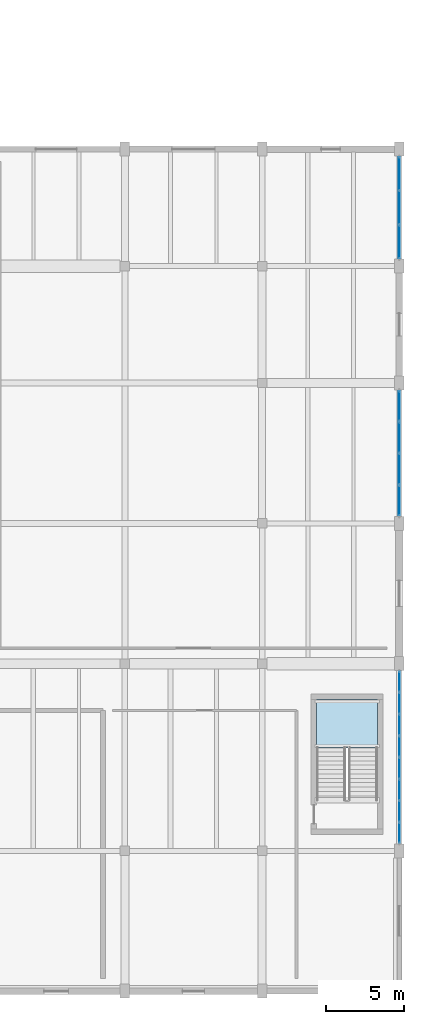
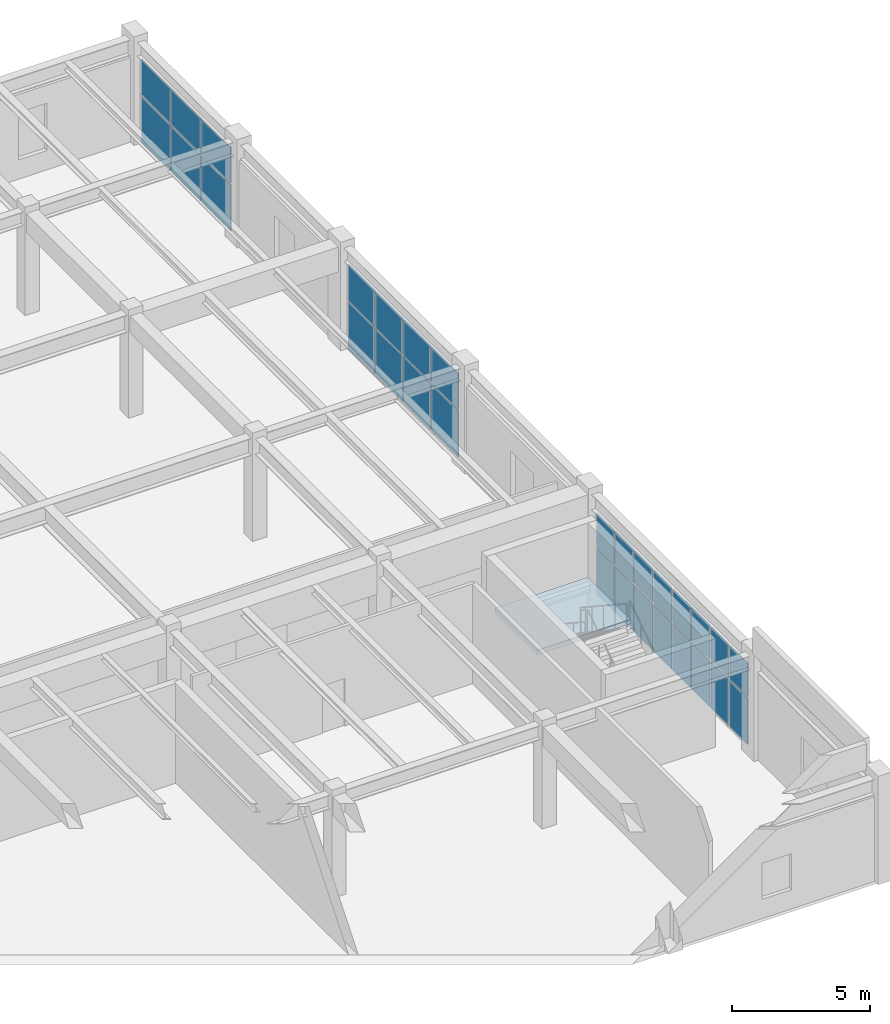
# One storey, part 59 of 85: 30 plates, 1 slab, 4 elements without a shape of their own.
"""IFC4 building model written with IfcOpenShell, lengths in metres."""

from ifc_helpers import new_model, si_unit, direction, frame, origin, origin_2d, place, context, subcontext, project, spatial, polyline, rectangle, outline, extrude, material, layer, layer_set, type_object, element, aggregate, save


model = new_model("IFC4")

# Units and contexts
model_context = context("Model", 3, precision=1e-05, world=origin(), true_north=direction((0.0, 1.0)))
body_context = subcontext(model_context, "Body", "Model", "MODEL_VIEW")
ifc_project = project(units=[si_unit("LENGTHUNIT", "METRE"), si_unit("AREAUNIT", "SQUARE_METRE"), si_unit("VOLUMEUNIT", "CUBIC_METRE"), si_unit("PLANEANGLEUNIT", "RADIAN"), si_unit("MASSUNIT", "GRAM", prefix="KILO")], contexts=[model_context])

# Site, building, storey
site_placement = place(None, origin())
site = spatial("IfcSite", under=ifc_project, at=site_placement, CompositionType="ELEMENT")
building_placement = place(site_placement, origin())
building = spatial("IfcBuilding", under=site, at=building_placement, Name="Vaelkrest Opera House", CompositionType="ELEMENT")
storey_placement = place(building_placement, frame((0.0, 0.0, 10.199951171875)))
storey = spatial("IfcBuildingStorey", under=building, at=storey_placement, Name="L02", CompositionType="ELEMENT", Elevation=10.199951171875)

# Curtain wall, plates
ifc_material_1 = material(Name="Dark bronze anodized aluminium", Category="aluminium")
ifc_layer_1 = layer(ifc_material_1, 0.179931640625)
ifc_layer_set_1 = layer_set([ifc_layer_1], Name="Dark bronze anodized aluminium")
curtain_wall_type_1 = type_object("IfcCurtainWallType", Name="CW01", PredefinedType="NOTDEFINED", material=ifc_layer_set_1)
curtain_wall_1_placement = place(storey_placement, origin())
curtain_wall_1 = element("IfcCurtainWall", 1, at=curtain_wall_1_placement, inside=storey, type_object=curtain_wall_type_1, Name="Curtain wall CW-L02-166", PredefinedType="NOTDEFINED")
ifc_material_2 = material(Name="Double low-E insulated glazing", Category="glass")
ifc_layer_2 = layer(ifc_material_2, 0.02587890625)
ifc_layer_set_2 = layer_set([ifc_layer_2], Name="Double low-E insulated glazing")
plate_type_1 = type_object("IfcPlateType", Name="CWP01", PredefinedType="CURTAIN_PANEL", material=ifc_layer_set_2)
plate_1_placement = place(storey_placement, frame((77.60009765625, -8.958251953125, 0.06494140625), z_axis=(0.0, 0.0, 1.0), x_axis=(0.0, -1.0, 0.0)))
plate_1 = element("IfcPlate", 2, at=plate_1_placement, type_object=plate_type_1, Name="CW01 panel 1.1", PredefinedType="CURTAIN_PANEL", context=body_context, shape_type="SweptSolid", body=[
    extrude(rectangle(XDim=1.29052734375, YDim=0.02587890625, at=origin_2d()), origin(), (0.0, 0.0, 1.0), 2.052490234375),
])
plate_2_placement = place(storey_placement, frame((77.60009765625, -8.958251953125, 2.1826171875), z_axis=(0.0, 0.0, 1.0), x_axis=(0.0, -1.0, 0.0)))
plate_2 = element("IfcPlate", 3, at=plate_2_placement, type_object=plate_type_1, Name="CW01 panel 1.2", PredefinedType="CURTAIN_PANEL", context=body_context, shape_type="SweptSolid", body=[
    extrude(rectangle(XDim=1.29052734375, YDim=0.02587890625, at=origin_2d()), origin(), (0.0, 0.0, 1.0), 1.49755859375),
])
plate_3_placement = place(storey_placement, frame((77.60009765625, -10.330078125, 0.06494140625), z_axis=(0.0, 0.0, 1.0), x_axis=(0.0, -1.0, 0.0)))
plate_3 = element("IfcPlate", 4, at=plate_3_placement, type_object=plate_type_1, Name="CW01 panel 2.1", PredefinedType="CURTAIN_PANEL", context=body_context, shape_type="SweptSolid", body=[
    extrude(rectangle(XDim=1.322998046875, YDim=0.02587890625, at=origin_2d()), origin(), (0.0, 0.0, 1.0), 2.052490234375),
])
plate_4_placement = place(storey_placement, frame((77.60009765625, -10.330078125, 2.1826171875), z_axis=(0.0, 0.0, 1.0), x_axis=(0.0, -1.0, 0.0)))
plate_4 = element("IfcPlate", 5, at=plate_4_placement, type_object=plate_type_1, Name="CW01 panel 2.2", PredefinedType="CURTAIN_PANEL", context=body_context, shape_type="SweptSolid", body=[
    extrude(rectangle(XDim=1.322998046875, YDim=0.02587890625, at=origin_2d()), origin(), (0.0, 0.0, 1.0), 1.49755859375),
])
plate_5_placement = place(storey_placement, frame((77.60009765625, -11.718017578125, 0.06494140625), z_axis=(0.0, 0.0, 1.0), x_axis=(0.0, -1.0, 0.0)))
plate_5 = element("IfcPlate", 6, at=plate_5_placement, type_object=plate_type_1, Name="CW01 panel 3.1", PredefinedType="CURTAIN_PANEL", context=body_context, shape_type="SweptSolid", body=[
    extrude(rectangle(XDim=1.322998046875, YDim=0.02587890625, at=origin_2d()), origin(), (0.0, 0.0, 1.0), 2.052490234375),
])
plate_6_placement = place(storey_placement, frame((77.60009765625, -11.718017578125, 2.1826171875), z_axis=(0.0, 0.0, 1.0), x_axis=(0.0, -1.0, 0.0)))
plate_6 = element("IfcPlate", 7, at=plate_6_placement, type_object=plate_type_1, Name="CW01 panel 3.2", PredefinedType="CURTAIN_PANEL", context=body_context, shape_type="SweptSolid", body=[
    extrude(rectangle(XDim=1.322998046875, YDim=0.02587890625, at=origin_2d()), origin(), (0.0, 0.0, 1.0), 1.49755859375),
])
plate_7_placement = place(storey_placement, frame((77.60009765625, -13.10595703125, 0.06494140625), z_axis=(0.0, 0.0, 1.0), x_axis=(0.0, -1.0, 0.0)))
plate_7 = element("IfcPlate", 8, at=plate_7_placement, type_object=plate_type_1, Name="CW01 panel 4.1", PredefinedType="CURTAIN_PANEL", context=body_context, shape_type="SweptSolid", body=[
    extrude(rectangle(XDim=1.322998046875, YDim=0.02587890625, at=origin_2d()), origin(), (0.0, 0.0, 1.0), 2.052490234375),
])
plate_8_placement = place(storey_placement, frame((77.60009765625, -13.10595703125, 2.1826171875), z_axis=(0.0, 0.0, 1.0), x_axis=(0.0, -1.0, 0.0)))
plate_8 = element("IfcPlate", 9, at=plate_8_placement, type_object=plate_type_1, Name="CW01 panel 4.2", PredefinedType="CURTAIN_PANEL", context=body_context, shape_type="SweptSolid", body=[
    extrude(rectangle(XDim=1.322998046875, YDim=0.02587890625, at=origin_2d()), origin(), (0.0, 0.0, 1.0), 1.49755859375),
])
plate_9_placement = place(storey_placement, frame((77.60009765625, -14.493896484375, 0.06494140625), z_axis=(0.0, 0.0, 1.0), x_axis=(0.0, -1.0, 0.0)))
plate_9 = element("IfcPlate", 10, at=plate_9_placement, type_object=plate_type_1, Name="CW01 panel 5.1", PredefinedType="CURTAIN_PANEL", context=body_context, shape_type="SweptSolid", body=[
    extrude(rectangle(XDim=1.322998046875, YDim=0.02587890625, at=origin_2d()), origin(), (0.0, 0.0, 1.0), 2.052490234375),
])
plate_10_placement = place(storey_placement, frame((77.60009765625, -14.493896484375, 2.1826171875), z_axis=(0.0, 0.0, 1.0), x_axis=(0.0, -1.0, 0.0)))
plate_10 = element("IfcPlate", 11, at=plate_10_placement, type_object=plate_type_1, Name="CW01 panel 5.2", PredefinedType="CURTAIN_PANEL", context=body_context, shape_type="SweptSolid", body=[
    extrude(rectangle(XDim=1.322998046875, YDim=0.02587890625, at=origin_2d()), origin(), (0.0, 0.0, 1.0), 1.49755859375),
])
plate_11_placement = place(storey_placement, frame((77.60009765625, -15.882080078125, 0.06494140625), z_axis=(0.0, 0.0, 1.0), x_axis=(0.0, -1.0, 0.0)))
plate_11 = element("IfcPlate", 12, at=plate_11_placement, type_object=plate_type_1, Name="CW01 panel 6.1", PredefinedType="CURTAIN_PANEL", context=body_context, shape_type="SweptSolid", body=[
    extrude(rectangle(XDim=1.322998046875, YDim=0.02587890625, at=origin_2d()), origin(), (0.0, 0.0, 1.0), 2.052490234375),
])
plate_12_placement = place(storey_placement, frame((77.60009765625, -15.882080078125, 2.1826171875), z_axis=(0.0, 0.0, 1.0), x_axis=(0.0, -1.0, 0.0)))
plate_12 = element("IfcPlate", 13, at=plate_12_placement, type_object=plate_type_1, Name="CW01 panel 6.2", PredefinedType="CURTAIN_PANEL", context=body_context, shape_type="SweptSolid", body=[
    extrude(rectangle(XDim=1.322998046875, YDim=0.02587890625, at=origin_2d()), origin(), (0.0, 0.0, 1.0), 1.49755859375),
])
plate_13_placement = place(storey_placement, frame((77.60009765625, -17.27001953125, 0.06494140625), z_axis=(0.0, 0.0, 1.0), x_axis=(0.0, -1.0, 0.0)))
plate_13 = element("IfcPlate", 14, at=plate_13_placement, type_object=plate_type_1, Name="CW01 panel 7.1", PredefinedType="CURTAIN_PANEL", context=body_context, shape_type="SweptSolid", body=[
    extrude(rectangle(XDim=1.322998046875, YDim=0.02587890625, at=origin_2d()), origin(), (0.0, 0.0, 1.0), 2.052490234375),
])
plate_14_placement = place(storey_placement, frame((77.60009765625, -17.27001953125, 2.1826171875), z_axis=(0.0, 0.0, 1.0), x_axis=(0.0, -1.0, 0.0)))
plate_14 = element("IfcPlate", 15, at=plate_14_placement, type_object=plate_type_1, Name="CW01 panel 7.2", PredefinedType="CURTAIN_PANEL", context=body_context, shape_type="SweptSolid", body=[
    extrude(rectangle(XDim=1.322998046875, YDim=0.02587890625, at=origin_2d()), origin(), (0.0, 0.0, 1.0), 1.49755859375),
])
plate_15_placement = place(storey_placement, frame((77.60009765625, -18.641845703125, 0.06494140625), z_axis=(0.0, 0.0, 1.0), x_axis=(0.0, -1.0, 0.0)))
plate_15 = element("IfcPlate", 16, at=plate_15_placement, type_object=plate_type_1, Name="CW01 panel 8.1", PredefinedType="CURTAIN_PANEL", context=body_context, shape_type="SweptSolid", body=[
    extrude(rectangle(XDim=1.29052734375, YDim=0.02587890625, at=origin_2d()), origin(), (0.0, 0.0, 1.0), 2.052490234375),
])
plate_16_placement = place(storey_placement, frame((77.60009765625, -18.641845703125, 2.1826171875), z_axis=(0.0, 0.0, 1.0), x_axis=(0.0, -1.0, 0.0)))
plate_16 = element("IfcPlate", 17, at=plate_16_placement, type_object=plate_type_1, Name="CW01 panel 8.2", PredefinedType="CURTAIN_PANEL", context=body_context, shape_type="SweptSolid", body=[
    extrude(rectangle(XDim=1.29052734375, YDim=0.02587890625, at=origin_2d()), origin(), (0.0, 0.0, 1.0), 1.49755859375),
])
aggregate(curtain_wall_1, [plate_1, plate_2, plate_3, plate_4, plate_5, plate_6, plate_7, plate_8, plate_9, plate_10, plate_11, plate_12, plate_13, plate_14, plate_15, plate_16])

ifc_layer_3 = layer(ifc_material_1, 0.219970703125)
ifc_layer_set_3 = layer_set([ifc_layer_3], Name="Dark bronze anodized aluminium")
curtain_wall_type_2 = type_object("IfcCurtainWallType", Name="CW05", PredefinedType="NOTDEFINED", material=ifc_layer_set_3)
curtain_wall_2_placement = place(storey_placement, origin())
curtain_wall_2 = element("IfcCurtainWall", 18, at=curtain_wall_2_placement, inside=storey, type_object=curtain_wall_type_2, Name="Curtain wall CW-L02-164", PredefinedType="NOTDEFINED")
ifc_layer_4 = layer(ifc_material_2, 0.0419921875)
ifc_layer_set_4 = layer_set([ifc_layer_4], Name="Double low-E insulated glazing")
plate_type_2 = type_object("IfcPlateType", Name="CWP05", PredefinedType="CURTAIN_PANEL", material=ifc_layer_set_4)
plate_17_placement = place(storey_placement, frame((77.60009765625, 23.635009765625, 0.074951171875), z_axis=(0.0, 0.0, 1.0), x_axis=(0.0, -1.0, 0.0)))
plate_17 = element("IfcPlate", 19, at=plate_17_placement, type_object=plate_type_2, Name="CW05 panel 1.1", PredefinedType="CURTAIN_PANEL", context=body_context, shape_type="SweptSolid", body=[
    extrude(rectangle(XDim=2.103759765625, YDim=0.0419921875, at=origin_2d()), origin(), (0.0, 0.0, 1.0), 2.03759765625),
])
plate_18_placement = place(storey_placement, frame((77.60009765625, 23.635009765625, 2.1875), z_axis=(0.0, 0.0, 1.0), x_axis=(0.0, -1.0, 0.0)))
plate_18 = element("IfcPlate", 20, at=plate_18_placement, type_object=plate_type_2, Name="CW05 panel 1.2", PredefinedType="CURTAIN_PANEL", context=body_context, shape_type="SweptSolid", body=[
    extrude(rectangle(XDim=2.103759765625, YDim=0.0419921875, at=origin_2d()), origin(), (0.0, 0.0, 1.0), 1.56640625),
])
plate_19_placement = place(storey_placement, frame((77.60009765625, 21.449951171875, 0.074951171875), z_axis=(0.0, 0.0, 1.0), x_axis=(0.0, -1.0, 0.0)))
plate_19 = element("IfcPlate", 21, at=plate_19_placement, type_object=plate_type_2, Name="CW05 panel 2.1", PredefinedType="CURTAIN_PANEL", context=body_context, shape_type="SweptSolid", body=[
    extrude(rectangle(XDim=2.13623046875, YDim=0.0419921875, at=origin_2d()), origin(), (0.0, 0.0, 1.0), 2.03759765625),
])
plate_20_placement = place(storey_placement, frame((77.60009765625, 21.449951171875, 2.1875), z_axis=(0.0, 0.0, 1.0), x_axis=(0.0, -1.0, 0.0)))
plate_20 = element("IfcPlate", 22, at=plate_20_placement, type_object=plate_type_2, Name="CW05 panel 2.2", PredefinedType="CURTAIN_PANEL", context=body_context, shape_type="SweptSolid", body=[
    extrude(rectangle(XDim=2.13623046875, YDim=0.0419921875, at=origin_2d()), origin(), (0.0, 0.0, 1.0), 1.56640625),
])
plate_21_placement = place(storey_placement, frame((77.60009765625, 19.264892578125, 0.074951171875), z_axis=(0.0, 0.0, 1.0), x_axis=(0.0, -1.0, 0.0)))
plate_21 = element("IfcPlate", 23, at=plate_21_placement, type_object=plate_type_2, Name="CW05 panel 3.1", PredefinedType="CURTAIN_PANEL", context=body_context, shape_type="SweptSolid", body=[
    extrude(rectangle(XDim=2.103759765625, YDim=0.0419921875, at=origin_2d()), origin(), (0.0, 0.0, 1.0), 2.03759765625),
])
plate_22_placement = place(storey_placement, frame((77.60009765625, 19.264892578125, 2.1875), z_axis=(0.0, 0.0, 1.0), x_axis=(0.0, -1.0, 0.0)))
plate_22 = element("IfcPlate", 24, at=plate_22_placement, type_object=plate_type_2, Name="CW05 panel 3.2", PredefinedType="CURTAIN_PANEL", context=body_context, shape_type="SweptSolid", body=[
    extrude(rectangle(XDim=2.103759765625, YDim=0.0419921875, at=origin_2d()), origin(), (0.0, 0.0, 1.0), 1.56640625),
])
aggregate(curtain_wall_2, [plate_17, plate_18, plate_19, plate_20, plate_21, plate_22])

ifc_layer_5 = layer(ifc_material_1, 0.239990234375)
ifc_layer_set_5 = layer_set([ifc_layer_5], Name="Dark bronze anodized aluminium")
curtain_wall_type_3 = type_object("IfcCurtainWallType", Name="CW07", PredefinedType="NOTDEFINED", material=ifc_layer_set_5)
curtain_wall_3_placement = place(storey_placement, origin())
curtain_wall_3 = element("IfcCurtainWall", 25, at=curtain_wall_3_placement, inside=storey, type_object=curtain_wall_type_3, Name="Curtain wall CW-L02-165", PredefinedType="NOTDEFINED")
ifc_material_3 = material(Name="Dark bronze anodized aluminium spandrel", Category="aluminium")
ifc_layer_6 = layer(ifc_material_3, 0.052001953125)
ifc_layer_set_6 = layer_set([ifc_layer_6], Name="Dark bronze anodized aluminium spandrel")
plate_type_3 = type_object("IfcPlateType", Name="CWP07", PredefinedType="CURTAIN_PANEL", material=ifc_layer_set_6)
plate_23_placement = place(storey_placement, frame((77.60009765625, 8.72021484375, 0.06494140625), z_axis=(0.0, 0.0, 1.0), x_axis=(0.0, -1.0, 0.0)))
plate_23 = element("IfcPlate", 26, at=plate_23_placement, type_object=plate_type_3, Name="CW07 panel 1.1", PredefinedType="CURTAIN_PANEL", context=body_context, shape_type="SweptSolid", body=[
    extrude(rectangle(XDim=1.91357421875, YDim=0.052001953125, at=origin_2d()), origin(), (0.0, 0.0, 1.0), 2.052490234375),
])
plate_24_placement = place(storey_placement, frame((77.60009765625, 8.72021484375, 2.1826171875), z_axis=(0.0, 0.0, 1.0), x_axis=(0.0, -1.0, 0.0)))
plate_24 = element("IfcPlate", 27, at=plate_24_placement, type_object=plate_type_3, Name="CW07 panel 1.2", PredefinedType="CURTAIN_PANEL", context=body_context, shape_type="SweptSolid", body=[
    extrude(rectangle(XDim=1.91357421875, YDim=0.052001953125, at=origin_2d()), origin(), (0.0, 0.0, 1.0), 1.58154296875),
])
plate_25_placement = place(storey_placement, frame((77.60009765625, 6.712890625, 0.06494140625), z_axis=(0.0, 0.0, 1.0), x_axis=(0.0, -1.0, 0.0)))
plate_25 = element("IfcPlate", 28, at=plate_25_placement, type_object=plate_type_3, Name="CW07 panel 2.1", PredefinedType="CURTAIN_PANEL", context=body_context, shape_type="SweptSolid", body=[
    extrude(rectangle(XDim=1.950927734375, YDim=0.052001953125, at=origin_2d()), origin(), (0.0, 0.0, 1.0), 2.052490234375),
])
plate_26_placement = place(storey_placement, frame((77.60009765625, 6.712890625, 2.1826171875), z_axis=(0.0, 0.0, 1.0), x_axis=(0.0, -1.0, 0.0)))
plate_26 = element("IfcPlate", 29, at=plate_26_placement, type_object=plate_type_3, Name="CW07 panel 2.2", PredefinedType="CURTAIN_PANEL", context=body_context, shape_type="SweptSolid", body=[
    extrude(rectangle(XDim=1.950927734375, YDim=0.052001953125, at=origin_2d()), origin(), (0.0, 0.0, 1.0), 1.58154296875),
])
plate_27_placement = place(storey_placement, frame((77.60009765625, 4.68701171875, 0.06494140625), z_axis=(0.0, 0.0, 1.0), x_axis=(0.0, -1.0, 0.0)))
plate_27 = element("IfcPlate", 30, at=plate_27_placement, type_object=plate_type_3, Name="CW07 panel 3.1", PredefinedType="CURTAIN_PANEL", context=body_context, shape_type="SweptSolid", body=[
    extrude(rectangle(XDim=1.950927734375, YDim=0.052001953125, at=origin_2d()), origin(), (0.0, 0.0, 1.0), 2.052490234375),
])
plate_28_placement = place(storey_placement, frame((77.60009765625, 4.68701171875, 2.1826171875), z_axis=(0.0, 0.0, 1.0), x_axis=(0.0, -1.0, 0.0)))
plate_28 = element("IfcPlate", 31, at=plate_28_placement, type_object=plate_type_3, Name="CW07 panel 3.2", PredefinedType="CURTAIN_PANEL", context=body_context, shape_type="SweptSolid", body=[
    extrude(rectangle(XDim=1.950927734375, YDim=0.052001953125, at=origin_2d()), origin(), (0.0, 0.0, 1.0), 1.58154296875),
])
plate_29_placement = place(storey_placement, frame((77.60009765625, 2.6796875, 0.06494140625), z_axis=(0.0, 0.0, 1.0), x_axis=(0.0, -1.0, 0.0)))
plate_29 = element("IfcPlate", 32, at=plate_29_placement, type_object=plate_type_3, Name="CW07 panel 4.1", PredefinedType="CURTAIN_PANEL", context=body_context, shape_type="SweptSolid", body=[
    extrude(rectangle(XDim=1.91357421875, YDim=0.052001953125, at=origin_2d()), origin(), (0.0, 0.0, 1.0), 2.052490234375),
])
plate_30_placement = place(storey_placement, frame((77.60009765625, 2.6796875, 2.1826171875), z_axis=(0.0, 0.0, 1.0), x_axis=(0.0, -1.0, 0.0)))
plate_30 = element("IfcPlate", 33, at=plate_30_placement, type_object=plate_type_3, Name="CW07 panel 4.2", PredefinedType="CURTAIN_PANEL", context=body_context, shape_type="SweptSolid", body=[
    extrude(rectangle(XDim=1.91357421875, YDim=0.052001953125, at=origin_2d()), origin(), (0.0, 0.0, 1.0), 1.58154296875),
])
aggregate(curtain_wall_3, [plate_23, plate_24, plate_25, plate_26, plate_27, plate_28, plate_29, plate_30])

# Stair, slab
ifc_material_4 = material(Name="Concrete C40/50", Category="concrete")
stair_type = type_object("IfcStairType", Name="ST10", PredefinedType="TWO_STRAIGHT_RUN_STAIR", material=ifc_material_4)
stair_placement = place(storey_placement, origin())
stair = element("IfcStair", 34, at=stair_placement, inside=storey, type_object=stair_type, Name="L02 Protected exit stair ST10", PredefinedType="TWO_STRAIGHT_RUN_STAIR")
ifc_layer_7 = layer(ifc_material_4, 0.199951171875)
ifc_layer_set_7 = layer_set([ifc_layer_7], Name="Concrete C40/50")
slab_type = type_object("IfcSlabType", Name="SLD01", PredefinedType="LANDING", material=ifc_layer_set_7)
slab_placement = place(storey_placement, frame((0.0, 0.0, 2.199951171875)))
slab = element("IfcSlab", 35, at=slab_placement, type_object=slab_type, Name="ST10 landing 1", PredefinedType="LANDING", context=body_context, shape_type="SweptSolid", body=[
    extrude(outline(polyline([(76.199951171875, -13.18994140625), (76.199951171875, -10.10009765625), (72.300048828125, -10.10009765625), (72.300048828125, -13.18994140625), (76.199951171875, -13.18994140625)])), origin(), (0.0, 0.0, 1.0), 0.2001953125),
])
aggregate(stair, [slab])

save(model, "model.ifc")
